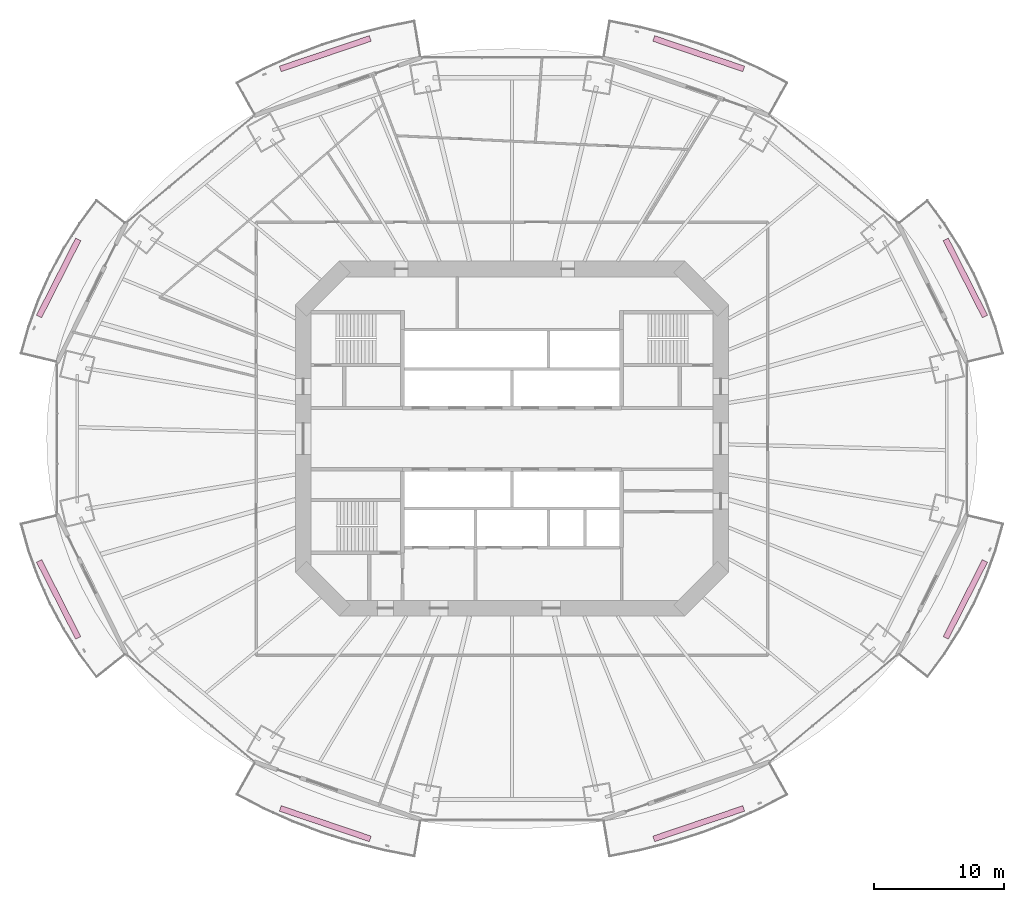
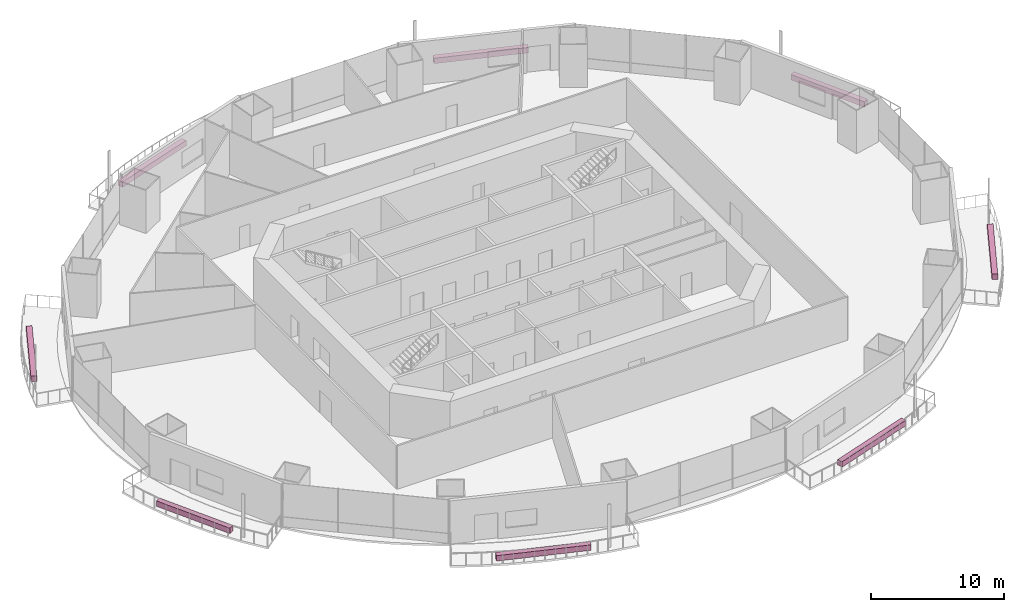
# One storey, part 22 of 22: 8 furnishings.
"""IFC4 building model written with IfcOpenShell, lengths in metres."""

from ifc_helpers import new_model, si_unit, direction, frame, origin, origin_2d, place, context, subcontext, project, spatial, rectangle, extrude, material, type_object, element, save


model = new_model("IFC4")

# Units and contexts
model_context = context("Model", 3, precision=1e-05, world=origin(), true_north=direction((0.0, 1.0)))
body_context = subcontext(model_context, "Body", "Model", "MODEL_VIEW")
ifc_project = project(units=[si_unit("LENGTHUNIT", "METRE"), si_unit("AREAUNIT", "SQUARE_METRE"), si_unit("VOLUMEUNIT", "CUBIC_METRE"), si_unit("PLANEANGLEUNIT", "RADIAN"), si_unit("MASSUNIT", "GRAM", prefix="KILO")], contexts=[model_context])

# Site, building, storey
site_placement = place(None, origin())
site = spatial("IfcSite", under=ifc_project, at=site_placement, CompositionType="ELEMENT")
building_placement = place(site_placement, origin())
building = spatial("IfcBuilding", under=site, at=building_placement, Name="Marenthal Gate Tower", CompositionType="ELEMENT")
storey_placement = place(building_placement, frame((0.0, 0.0, 70.35009765625)))
storey = spatial("IfcBuildingStorey", under=building, at=storey_placement, Name="L13", CompositionType="ELEMENT", Elevation=70.35009765625)

# Furnishings
ifc_material = material(Name="Planting soil and foliage", Category="planting")
furnishing_element_type = type_object("IfcFurnishingElementType", Name="Balcony PLANTER trough", material=ifc_material)
furnishing_1_placement = place(storey_placement, frame((34.75048828125, 12.319091796875, -0.0400390625), z_axis=(0.0, 0.0, 1.0), x_axis=(-0.453560882616, 0.891225294615, 0.0)))
element("IfcFurnishingElement", 1, at=furnishing_1_placement, inside=storey, type_object=furnishing_element_type, Name="Balcony PLANTER L13 bay 1", ObjectType="PLANTER", context=body_context, shape_type="SweptSolid", body=[
    extrude(rectangle(XDim=6.623046875, YDim=0.449951171875, at=origin_2d()), origin(), (0.0, 0.0, 1.0), 0.5),
])
for number, where, z_axis, x_axis, name in (
    (2, (14.31201171875, 29.51025390625, -0.0400390625), (0.0, 0.0, 1.0), (-0.947288641445, 0.320381381778, 0.0), "Balcony PLANTER L13 bay 3"),
    (3, (-14.31201171875, 29.51025390625, -0.0400390625), (0.0, 0.0, 1.0), (-0.947288641445, -0.320381381778, 0.0), "Balcony PLANTER L13 bay 5"),
):
    element("IfcFurnishingElement", number, at=place(storey_placement, frame(where, z_axis=z_axis, x_axis=x_axis)), inside=storey, type_object=furnishing_element_type, Name=name, ObjectType="PLANTER", context=body_context, shape_type="SweptSolid", body=[
        extrude(rectangle(XDim=7.287353515625, YDim=0.449951171875, at=origin_2d()), origin(), (0.0, 0.0, 1.0), 0.5),
    ])
for number, where, z_axis, x_axis, name in (
    (4, (-34.75048828125, 12.319091796875, -0.0400390625), (0.0, 0.0, 1.0), (-0.453560882616, -0.891225294615, 0.0), "Balcony PLANTER L13 bay 7"),
    (5, (-34.75048828125, -12.319091796875, -0.0400390625), (0.0, 0.0, 1.0), (0.453560882616, -0.891225294615, 0.0), "Balcony PLANTER L13 bay 9"),
):
    element("IfcFurnishingElement", number, at=place(storey_placement, frame(where, z_axis=z_axis, x_axis=x_axis)), inside=storey, type_object=furnishing_element_type, Name=name, ObjectType="PLANTER", context=body_context, shape_type="SweptSolid", body=[
        extrude(rectangle(XDim=6.623046875, YDim=0.449951171875, at=origin_2d()), origin(), (0.0, 0.0, 1.0), 0.5),
    ])
for number, where, z_axis, x_axis, name in (
    (6, (-14.31201171875, -29.51025390625, -0.0400390625), (0.0, 0.0, 1.0), (0.947288641445, -0.320381381778, 0.0), "Balcony PLANTER L13 bay 11"),
    (7, (14.31201171875, -29.51025390625, -0.0400390625), (0.0, 0.0, 1.0), (0.947288641445, 0.320381381778, 0.0), "Balcony PLANTER L13 bay 13"),
):
    element("IfcFurnishingElement", number, at=place(storey_placement, frame(where, z_axis=z_axis, x_axis=x_axis)), inside=storey, type_object=furnishing_element_type, Name=name, ObjectType="PLANTER", context=body_context, shape_type="SweptSolid", body=[
        extrude(rectangle(XDim=7.287353515625, YDim=0.449951171875, at=origin_2d()), origin(), (0.0, 0.0, 1.0), 0.5),
    ])
furnishing_2_placement = place(storey_placement, frame((34.75048828125, -12.319091796875, -0.0400390625), z_axis=(0.0, 0.0, 1.0), x_axis=(0.453560882616, 0.891225294615, 0.0)))
element("IfcFurnishingElement", 8, at=furnishing_2_placement, inside=storey, type_object=furnishing_element_type, Name="Balcony PLANTER L13 bay 15", ObjectType="PLANTER", context=body_context, shape_type="SweptSolid", body=[
    extrude(rectangle(XDim=6.623046875, YDim=0.449951171875, at=origin_2d()), origin(), (0.0, 0.0, 1.0), 0.5),
])

save(model, "model.ifc")
